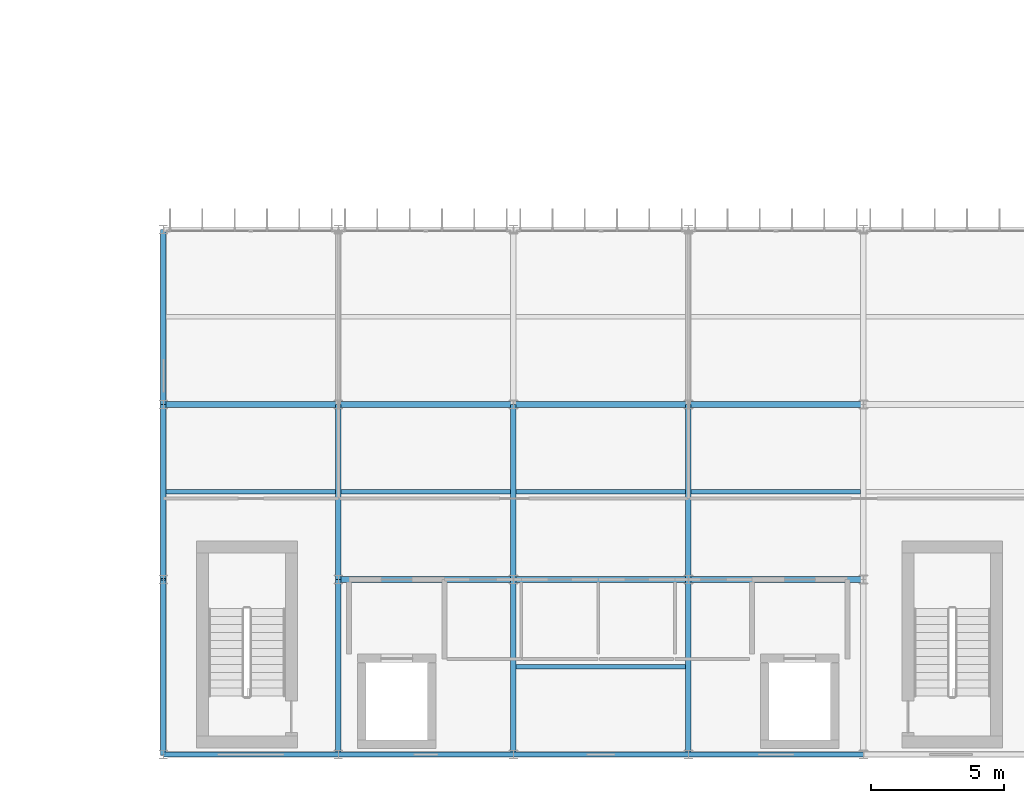
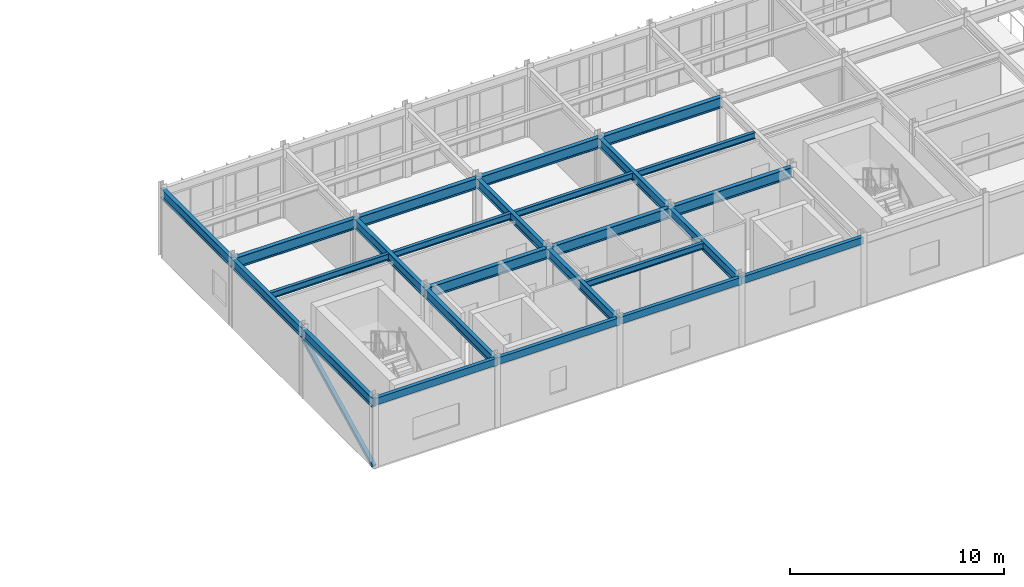
# One storey, part 50 of 130: 25 beams, 1 member.
"""IFC4 building model written with IfcOpenShell, lengths in metres."""

import ifcopenshell
import ifcopenshell.guid

model = None  # the IFC model being written
_history = None  # IfcOwnerHistory: only IFC2X3 demands one
_inside = {}  # id of a spatial element -> (the spatial element, [elements in it])
_under = {}  # id of a project, library or spatial element -> (it, [spatial elements below it])
_declared = {}  # id of a project -> (the project, [libraries it declares])
_typed = {}  # id of a type object -> (the type object, [elements of that type])
_made_of = {}  # id of a material, layer set ... -> (it, [elements and type objects made of it])


def new_model(schema):
    """Start an empty IFC model of exactly this schema.

    Asked for "IFC4X3", IfcOpenShell would pick the latest addendum, in which some entities
    have other attributes; the version numbers below select the first issue.
    IFC2X3 requires an IfcOwnerHistory on every rooted entity: one is made here for all.
    """
    global model, _history
    if schema == "IFC4X3":
        model = ifcopenshell.file(schema_version=(4, 3, 0, 0))
    else:
        model = ifcopenshell.file(schema=schema)
    _inside.clear()
    _under.clear()
    _declared.clear()
    _typed.clear()
    _made_of.clear()
    _history = None
    if model.schema == "IFC2X3":
        org = make("IfcOrganization", Name="unknown")
        user = make(
            "IfcPersonAndOrganization",
            ThePerson=make("IfcPerson", FamilyName="unknown"),
            TheOrganization=org,
        )
        app = make(
            "IfcApplication",
            ApplicationDeveloper=org,
            Version="unknown",
            ApplicationFullName="unknown",
            ApplicationIdentifier="unknown",
        )
        _history = make(
            "IfcOwnerHistory",
            OwningUser=user,
            OwningApplication=app,
            ChangeAction="ADDED",
            CreationDate=0,
        )
    return model


def make(cls, **values):
    """One entity of the class cls with the attributes given. An attribute that is None is left unset."""
    return model.create_entity(
        cls, **{name: value for name, value in values.items() if value is not None}
    )


def rooted(cls, **values):
    """An entity with a GlobalId (a new one), such as an element, a storey or a relation."""
    return make(cls, GlobalId=ifcopenshell.guid.new(), OwnerHistory=_history, **values)


def si_unit(unit_type, name, prefix=None):
    """IfcSIUnit, for example si_unit("LENGTHUNIT", "METRE", prefix="MILLI")."""
    return make("IfcSIUnit", UnitType=unit_type, Prefix=prefix, Name=name)


def assignment(units):
    """IfcUnitAssignment: the units of a project."""
    return None if units is None else make("IfcUnitAssignment", Units=units)


def point(xyz):
    """IfcCartesianPoint."""
    return None if xyz is None else make("IfcCartesianPoint", Coordinates=xyz)


def direction(xyz):
    """IfcDirection."""
    return None if xyz is None else make("IfcDirection", DirectionRatios=xyz)


def frame(location, z_axis=None, x_axis=None):
    """IfcAxis2Placement3D, a coordinate frame: its origin and axes. An axis left out is left unset."""
    return make(
        "IfcAxis2Placement3D",
        Location=point(location),
        Axis=direction(z_axis),
        RefDirection=direction(x_axis),
    )


def frame_2d(location, x_axis=None):
    """IfcAxis2Placement2D, a coordinate frame in the plane: its origin and x axis."""
    return make(
        "IfcAxis2Placement2D", Location=point(location), RefDirection=direction(x_axis)
    )


def origin():
    """The frame at (0, 0, 0) with its axes left unset."""
    return frame((0.0, 0.0, 0.0))


def origin_2d():
    """The frame at (0, 0) in the plane with its x axis left unset."""
    return frame_2d((0.0, 0.0))


def place(relative_to, where):
    """IfcLocalPlacement: puts the frame where relative to a parent placement (None: the world)."""
    return make(
        "IfcLocalPlacement", PlacementRelTo=relative_to, RelativePlacement=where
    )


def context(
    kind, dimensions, precision=None, world=None, true_north=None, identifier=None
):
    """IfcGeometricRepresentationContext, for example the 3D "Model" context."""
    return make(
        "IfcGeometricRepresentationContext",
        ContextIdentifier=identifier,
        ContextType=kind,
        CoordinateSpaceDimension=dimensions,
        Precision=precision,
        WorldCoordinateSystem=world,
        TrueNorth=true_north,
    )


def subcontext(parent, identifier, kind, view, scale=None):
    """IfcGeometricRepresentationSubContext, for example "Body" below "Model"."""
    return make(
        "IfcGeometricRepresentationSubContext",
        ContextIdentifier=identifier,
        ContextType=kind,
        ParentContext=parent,
        TargetScale=scale,
        TargetView=view,
    )


def project(units=None, contexts=None):
    """IfcProject with its units and contexts."""
    return rooted(
        "IfcProject",
        Name="project",
        RepresentationContexts=contexts,
        UnitsInContext=assignment(units),
    )


def spatial(cls, under=None, at=None, **own):
    """A site, building, storey or space (cls), placed at a placement, below another one or the project."""
    s = rooted(cls, ObjectPlacement=at, **own)
    if under is not None:
        _under.setdefault(under.id(), (under, []))[1].append(s)
    return s


def profile(cls, at=None, kind="AREA", **sizes):
    """A parametric profile (cls). Its sizes go by their IFC names, for example OverallWidth=200.0."""
    return make(cls, ProfileType=kind, Position=at, **sizes)


def hollow_rectangle(**sizes):
    """IfcRectangleHollowProfileDef."""
    return profile("IfcRectangleHollowProfileDef", **sizes)


def i_section(**sizes):
    """IfcIShapeProfileDef."""
    return profile("IfcIShapeProfileDef", **sizes)


def extrude(swept, where, along, depth):
    """IfcExtrudedAreaSolid: the profile swept, set in the frame where, extruded along a direction by depth."""
    return make(
        "IfcExtrudedAreaSolid",
        SweptArea=swept,
        Position=where,
        ExtrudedDirection=direction(along),
        Depth=depth,
    )


def shape(context_of_items, identifier, shape_type, items):
    """IfcShapeRepresentation: the items that make up one representation, for example the "Body"."""
    return make(
        "IfcShapeRepresentation",
        ContextOfItems=context_of_items,
        RepresentationIdentifier=identifier,
        RepresentationType=shape_type,
        Items=items,
    )


def material(Name=None, Category=None):
    """IfcMaterial."""
    return make("IfcMaterial", Name=Name, Category=Category)


def material_profile(
    of_material, cross_section, Name=None, Category=None, Priority=None
):
    """IfcMaterialProfile: a cross section and its material."""
    return make(
        "IfcMaterialProfile",
        Name=Name,
        Material=of_material,
        Profile=cross_section,
        Priority=Priority,
        Category=Category,
    )


def profile_set(profiles, Name=None, composite=None):
    """IfcMaterialProfileSet."""
    return make(
        "IfcMaterialProfileSet",
        Name=Name,
        MaterialProfiles=profiles,
        CompositeProfile=composite,
    )


def made_of(thing, what):
    """Note that an element or type object is made of a material, layer set ...; save() writes the relation."""
    if what is not None:
        _made_of.setdefault(what.id(), (what, []))[1].append(thing)
    return thing


def type_object(cls, material=None, **own):
    """A type object (cls), such as IfcWallType, which elements share."""
    return made_of(rooted(cls, **own), material)


def element(
    cls,
    number,
    at=None,
    inside=None,
    cuts=None,
    type_object=None,
    material=None,
    context=None,
    identifier="Body",
    shape_type=None,
    held_by="IfcProductDefinitionShape",
    body=None,
    shapes=None,
    **own,
):
    """One element of the class cls, such as IfcWall. Its Tag is "e" and its number.

    at: its placement. inside: the storey or other place that contains it. cuts: it is an
    opening in that element (IfcRelVoidsElement). A single representation is given by context,
    identifier, shape_type and body (its items); several are given by shapes. held_by: the class
    of the entity that holds the representations. save() writes the other relations.
    """
    e = rooted(cls, Tag="e%d" % number, ObjectPlacement=at, **own)
    if body is not None:
        shapes = [shape(context, identifier, shape_type, body)]
    if shapes is not None:
        e.Representation = make(held_by, Representations=shapes)
    if inside is not None:
        _inside.setdefault(inside.id(), (inside, []))[1].append(e)
    if cuts is not None:
        rooted(
            "IfcRelVoidsElement", RelatingBuildingElement=cuts, RelatedOpeningElement=e
        )
    if type_object is not None:
        _typed.setdefault(type_object.id(), (type_object, []))[1].append(e)
    return made_of(e, material)


def aggregate(whole, parts):
    """IfcRelAggregates: a whole, such as a stair, and the parts it consists of."""
    return rooted("IfcRelAggregates", RelatingObject=whole, RelatedObjects=parts)


def save(model, path):
    """Write the relations noted so far, then the file.

    IfcRelAggregates (storeys below a building ...), IfcRelContainedInSpatialStructure (elements
    in a storey), IfcRelDefinesByType, IfcRelAssociatesMaterial and IfcRelDeclares: one each for
    every whole, place, type object, material and project.
    """
    for whole, parts in _under.values():
        aggregate(whole, parts)
    for where, things in _inside.values():
        rooted(
            "IfcRelContainedInSpatialStructure",
            RelatedElements=things,
            RelatingStructure=where,
        )
    for kind, things in _typed.values():
        rooted("IfcRelDefinesByType", RelatedObjects=things, RelatingType=kind)
    for what, things in _made_of.values():
        rooted("IfcRelAssociatesMaterial", RelatedObjects=things, RelatingMaterial=what)
    for by, libraries in _declared.values():
        rooted("IfcRelDeclares", RelatingContext=by, RelatedDefinitions=libraries)
    model.write(path)


model = new_model("IFC4")

# Units and contexts
model_context = context("Model", 3, precision=1e-05, world=origin(), true_north=direction((0.0, 1.0)))
body_context = subcontext(model_context, "Body", "Model", "MODEL_VIEW")
ifc_project = project(units=[si_unit("LENGTHUNIT", "METRE"), si_unit("AREAUNIT", "SQUARE_METRE"), si_unit("VOLUMEUNIT", "CUBIC_METRE"), si_unit("PLANEANGLEUNIT", "RADIAN"), si_unit("MASSUNIT", "GRAM", prefix="KILO")], contexts=[model_context])

# Site, building, storey
site_placement = place(None, origin())
site = spatial("IfcSite", under=ifc_project, at=site_placement, CompositionType="ELEMENT")
building_placement = place(site_placement, origin())
building = spatial("IfcBuilding", under=site, at=building_placement, Name="Karori Crest Natural Sciences Institute", CompositionType="ELEMENT")
storey_placement = place(building_placement, frame((0.0, 0.0, 17.5)))
storey = spatial("IfcBuildingStorey", under=building, at=storey_placement, Name="L04", CompositionType="ELEMENT", Elevation=17.5)

# Beams
ifc_material_1 = material(Name="Structural steel AS/NZS 3679.1 Grade 350", Category="steel")
ifc_material_profile_1 = material_profile(ifc_material_1, i_section(OverallWidth=0.22900390625, OverallDepth=0.612060546875, WebThickness=0.011962890625, FlangeThickness=0.01953125, FilletRadius=0.013916015625, at=origin_2d()), Name="610UB125")
ifc_profile_set_1 = profile_set([ifc_material_profile_1], Name="Structural steel AS/NZS 3679.1 Grade 350")
beam_type_1 = type_object("IfcBeamType", Name="BT-04", PredefinedType="BEAM", material=ifc_profile_set_1)
beam_1_placement = place(storey_placement, frame((110.199951171875, 7.39990234375, 3.614013671875), z_axis=(1.0, 0.0, 0.0), x_axis=(0.0, 1.0, 0.0)))
element("IfcBeam", 1, at=beam_1_placement, inside=storey, type_object=beam_type_1, Name="Beam B-2376", PredefinedType="BEAM", context=body_context, shape_type="SweptSolid", body=[
    extrude(i_section(OverallWidth=0.22900390625, OverallDepth=0.612060546875, WebThickness=0.011962890625, FlangeThickness=0.01953125, FilletRadius=0.013916015625, at=origin_2d()), origin(), (0.0, 0.0, 1.0), 6.60009765625),
])
beam_2_placement = place(storey_placement, frame((116.800048828125, 7.39990234375, 3.614013671875), z_axis=(1.0, 0.0, 0.0), x_axis=(0.0, 1.0, 0.0)))
element("IfcBeam", 2, at=beam_2_placement, inside=storey, type_object=beam_type_1, Name="Beam B-2377", PredefinedType="BEAM", context=body_context, shape_type="SweptSolid", body=[
    extrude(i_section(OverallWidth=0.22900390625, OverallDepth=0.612060546875, WebThickness=0.011962890625, FlangeThickness=0.01953125, FilletRadius=0.013916015625, at=origin_2d()), origin(), (0.0, 0.0, 1.0), 6.599853515625),
])
beam_3_placement = place(storey_placement, frame((123.39990234375, 7.39990234375, 3.614013671875), z_axis=(1.0, 0.0, 0.0), x_axis=(0.0, 1.0, 0.0)))
element("IfcBeam", 3, at=beam_3_placement, inside=storey, type_object=beam_type_1, Name="Beam B-2378", PredefinedType="BEAM", context=body_context, shape_type="SweptSolid", body=[
    extrude(i_section(OverallWidth=0.22900390625, OverallDepth=0.612060546875, WebThickness=0.011962890625, FlangeThickness=0.01953125, FilletRadius=0.013916015625, at=origin_2d()), origin(), (0.0, 0.0, 1.0), 6.60009765625),
])
beam_4_placement = place(storey_placement, frame((103.60009765625, 14.0, 3.614013671875), z_axis=(1.0, 0.0, 0.0), x_axis=(0.0, 1.0, 0.0)))
element("IfcBeam", 4, at=beam_4_placement, inside=storey, type_object=beam_type_1, Name="Beam B-2383", PredefinedType="BEAM", context=body_context, shape_type="SweptSolid", body=[
    extrude(i_section(OverallWidth=0.22900390625, OverallDepth=0.612060546875, WebThickness=0.011962890625, FlangeThickness=0.01953125, FilletRadius=0.013916015625, at=origin_2d()), origin(), (0.0, 0.0, 1.0), 6.599853515625),
])
beam_5_placement = place(storey_placement, frame((110.199951171875, 14.0, 3.614013671875), z_axis=(1.0, 0.0, 0.0), x_axis=(0.0, 1.0, 0.0)))
element("IfcBeam", 5, at=beam_5_placement, inside=storey, type_object=beam_type_1, Name="Beam B-2384", PredefinedType="BEAM", context=body_context, shape_type="SweptSolid", body=[
    extrude(i_section(OverallWidth=0.22900390625, OverallDepth=0.612060546875, WebThickness=0.011962890625, FlangeThickness=0.01953125, FilletRadius=0.013916015625, at=origin_2d()), origin(), (0.0, 0.0, 1.0), 6.60009765625),
])
beam_6_placement = place(storey_placement, frame((116.800048828125, 14.0, 3.614013671875), z_axis=(1.0, 0.0, 0.0), x_axis=(0.0, 1.0, 0.0)))
element("IfcBeam", 6, at=beam_6_placement, inside=storey, type_object=beam_type_1, Name="Beam B-2385", PredefinedType="BEAM", context=body_context, shape_type="SweptSolid", body=[
    extrude(i_section(OverallWidth=0.22900390625, OverallDepth=0.612060546875, WebThickness=0.011962890625, FlangeThickness=0.01953125, FilletRadius=0.013916015625, at=origin_2d()), origin(), (0.0, 0.0, 1.0), 6.599853515625),
])
beam_7_placement = place(storey_placement, frame((123.39990234375, 14.0, 3.614013671875), z_axis=(1.0, 0.0, 0.0), x_axis=(0.0, 1.0, 0.0)))
element("IfcBeam", 7, at=beam_7_placement, inside=storey, type_object=beam_type_1, Name="Beam B-2386", PredefinedType="BEAM", context=body_context, shape_type="SweptSolid", body=[
    extrude(i_section(OverallWidth=0.22900390625, OverallDepth=0.612060546875, WebThickness=0.011962890625, FlangeThickness=0.01953125, FilletRadius=0.013916015625, at=origin_2d()), origin(), (0.0, 0.0, 1.0), 6.60009765625),
])
ifc_material_profile_2 = material_profile(ifc_material_1, i_section(OverallWidth=0.208984375, OverallDepth=0.532958984375, WebThickness=0.01025390625, FlangeThickness=0.015625, FilletRadius=0.013916015625, at=origin_2d()), Name="530UB92.4")
ifc_profile_set_2 = profile_set([ifc_material_profile_2], Name="Structural steel AS/NZS 3679.1 Grade 350")
beam_type_2 = type_object("IfcBeamType", Name="BT-05", PredefinedType="BEAM", material=ifc_profile_set_2)
beam_8_placement = place(storey_placement, frame((110.199951171875, 0.800048828125, 3.653564453125), z_axis=(0.0, 1.0, 0.0), x_axis=(-1.0, 0.0, 0.0)))
element("IfcBeam", 8, at=beam_8_placement, inside=storey, type_object=beam_type_2, Name="Beam B-2404", PredefinedType="BEAM", context=body_context, shape_type="SweptSolid", body=[
    extrude(i_section(OverallWidth=0.208984375, OverallDepth=0.532958984375, WebThickness=0.01025390625, FlangeThickness=0.015625, FilletRadius=0.013916015625, at=origin_2d()), origin(), (0.0, 0.0, 1.0), 6.599853515625),
])
beam_9_placement = place(storey_placement, frame((110.199951171875, 7.39990234375, 3.653564453125), z_axis=(0.0, 1.0, 0.0), x_axis=(-1.0, 0.0, 0.0)))
element("IfcBeam", 9, at=beam_9_placement, inside=storey, type_object=beam_type_2, Name="Beam B-2405", PredefinedType="BEAM", context=body_context, shape_type="SweptSolid", body=[
    extrude(i_section(OverallWidth=0.208984375, OverallDepth=0.532958984375, WebThickness=0.01025390625, FlangeThickness=0.015625, FilletRadius=0.013916015625, at=origin_2d()), origin(), (0.0, 0.0, 1.0), 6.60009765625),
])
beam_10_placement = place(storey_placement, frame((116.800048828125, 0.800048828125, 3.653564453125), z_axis=(0.0, 1.0, 0.0), x_axis=(-1.0, 0.0, 0.0)))
element("IfcBeam", 10, at=beam_10_placement, inside=storey, type_object=beam_type_2, Name="Beam B-2407", PredefinedType="BEAM", context=body_context, shape_type="SweptSolid", body=[
    extrude(i_section(OverallWidth=0.208984375, OverallDepth=0.532958984375, WebThickness=0.01025390625, FlangeThickness=0.015625, FilletRadius=0.013916015625, at=origin_2d()), origin(), (0.0, 0.0, 1.0), 6.599853515625),
])
beam_11_placement = place(storey_placement, frame((116.800048828125, 7.39990234375, 3.653564453125), z_axis=(0.0, 1.0, 0.0), x_axis=(-1.0, 0.0, 0.0)))
element("IfcBeam", 11, at=beam_11_placement, inside=storey, type_object=beam_type_2, Name="Beam B-2408", PredefinedType="BEAM", context=body_context, shape_type="SweptSolid", body=[
    extrude(i_section(OverallWidth=0.208984375, OverallDepth=0.532958984375, WebThickness=0.01025390625, FlangeThickness=0.015625, FilletRadius=0.013916015625, at=origin_2d()), origin(), (0.0, 0.0, 1.0), 6.60009765625),
])
beam_12_placement = place(storey_placement, frame((123.39990234375, 0.800048828125, 3.653564453125), z_axis=(0.0, 1.0, 0.0), x_axis=(-1.0, 0.0, 0.0)))
element("IfcBeam", 12, at=beam_12_placement, inside=storey, type_object=beam_type_2, Name="Beam B-2410", PredefinedType="BEAM", context=body_context, shape_type="SweptSolid", body=[
    extrude(i_section(OverallWidth=0.208984375, OverallDepth=0.532958984375, WebThickness=0.01025390625, FlangeThickness=0.015625, FilletRadius=0.013916015625, at=origin_2d()), origin(), (0.0, 0.0, 1.0), 6.599853515625),
])
beam_13_placement = place(storey_placement, frame((123.39990234375, 7.39990234375, 3.653564453125), z_axis=(0.0, 1.0, 0.0), x_axis=(-1.0, 0.0, 0.0)))
element("IfcBeam", 13, at=beam_13_placement, inside=storey, type_object=beam_type_2, Name="Beam B-2411", PredefinedType="BEAM", context=body_context, shape_type="SweptSolid", body=[
    extrude(i_section(OverallWidth=0.208984375, OverallDepth=0.532958984375, WebThickness=0.01025390625, FlangeThickness=0.015625, FilletRadius=0.013916015625, at=origin_2d()), origin(), (0.0, 0.0, 1.0), 6.60009765625),
])
ifc_material_profile_3 = material_profile(ifc_material_1, i_section(OverallWidth=0.208984375, OverallDepth=0.532958984375, WebThickness=0.01025390625, FlangeThickness=0.015625, FilletRadius=0.013916015625, at=origin_2d()), Name="530UB92.4")
ifc_profile_set_3 = profile_set([ifc_material_profile_3], Name="Structural steel AS/NZS 3679.1 Grade 350")
beam_type_3 = type_object("IfcBeamType", Name="BT-05-EL", PredefinedType="BEAM", material=ifc_profile_set_3)
beam_14_placement = place(storey_placement, frame((103.60009765625, 0.800048828125, 3.653564453125), z_axis=(0.0, 1.0, 0.0), x_axis=(-1.0, 0.0, 0.0)))
element("IfcBeam", 14, at=beam_14_placement, inside=storey, type_object=beam_type_3, Name="Beam B-2401", PredefinedType="BEAM", context=body_context, shape_type="SweptSolid", body=[
    extrude(i_section(OverallWidth=0.208984375, OverallDepth=0.532958984375, WebThickness=0.01025390625, FlangeThickness=0.015625, FilletRadius=0.013916015625, at=origin_2d()), origin(), (0.0, 0.0, 1.0), 6.599853515625),
])
for number, where, z_axis, x_axis, name in (
    (15, (103.60009765625, 7.39990234375, 3.653564453125), (0.0, 1.0, 0.0), (-1.0, 0.0, 0.0), "Beam B-2402"),
    (16, (103.60009765625, 14.0, 3.653564453125), (0.0, 1.0, 0.0), (-1.0, 0.0, 0.0), "Beam B-2403"),
):
    element("IfcBeam", number, at=place(storey_placement, frame(where, z_axis=z_axis, x_axis=x_axis)), inside=storey, type_object=beam_type_3, Name=name, PredefinedType="BEAM", context=body_context, shape_type="SweptSolid", body=[
        extrude(i_section(OverallWidth=0.208984375, OverallDepth=0.532958984375, WebThickness=0.01025390625, FlangeThickness=0.015625, FilletRadius=0.013916015625, at=origin_2d()), origin(), (0.0, 0.0, 1.0), 6.60009765625),
    ])
ifc_material_profile_4 = material_profile(ifc_material_1, i_section(OverallWidth=0.172119140625, OverallDepth=0.35888671875, WebThickness=0.008056640625, FlangeThickness=0.012939453125, FilletRadius=0.010986328125, at=origin_2d()), Name="360UB56.7")
ifc_profile_set_4 = profile_set([ifc_material_profile_4], Name="Structural steel AS/NZS 3679.1 Grade 350")
beam_type_4 = type_object("IfcBeamType", Name="BT-08", PredefinedType="BEAM", material=ifc_profile_set_4)
beam_15_placement = place(storey_placement, frame((103.70458984375, 10.699951171875, 3.740478515625), z_axis=(1.0, 0.0, 0.0), x_axis=(0.0, 1.0, 0.0)))
element("IfcBeam", 17, at=beam_15_placement, inside=storey, type_object=beam_type_4, Name="Beam B-2431", PredefinedType="BEAM", context=body_context, shape_type="SweptSolid", body=[
    extrude(i_section(OverallWidth=0.172119140625, OverallDepth=0.35888671875, WebThickness=0.008056640625, FlangeThickness=0.012939453125, FilletRadius=0.010986328125, at=origin_2d()), origin(), (0.0, 0.0, 1.0), 6.390869140625),
])
beam_16_placement = place(storey_placement, frame((110.304443359375, 10.699951171875, 3.740478515625), z_axis=(1.0, 0.0, 0.0), x_axis=(0.0, 1.0, 0.0)))
element("IfcBeam", 18, at=beam_16_placement, inside=storey, type_object=beam_type_4, Name="Beam B-2433", PredefinedType="BEAM", context=body_context, shape_type="SweptSolid", body=[
    extrude(i_section(OverallWidth=0.172119140625, OverallDepth=0.35888671875, WebThickness=0.008056640625, FlangeThickness=0.012939453125, FilletRadius=0.010986328125, at=origin_2d()), origin(), (0.0, 0.0, 1.0), 6.39111328125),
])
for number, where, z_axis, x_axis, name in (
    (19, (116.904541015625, 4.10009765625, 3.740478515625), (1.0, 0.0, 0.0), (0.0, 1.0, 0.0), "Beam B-2435"),
    (20, (116.904541015625, 10.699951171875, 3.740478515625), (1.0, 0.0, 0.0), (0.0, 1.0, 0.0), "Beam B-2436"),
):
    element("IfcBeam", number, at=place(storey_placement, frame(where, z_axis=z_axis, x_axis=x_axis)), inside=storey, type_object=beam_type_4, Name=name, PredefinedType="BEAM", context=body_context, shape_type="SweptSolid", body=[
        extrude(i_section(OverallWidth=0.172119140625, OverallDepth=0.35888671875, WebThickness=0.008056640625, FlangeThickness=0.012939453125, FilletRadius=0.010986328125, at=origin_2d()), origin(), (0.0, 0.0, 1.0), 6.390869140625),
    ])
beam_17_placement = place(storey_placement, frame((123.50439453125, 10.699951171875, 3.740478515625), z_axis=(1.0, 0.0, 0.0), x_axis=(0.0, 1.0, 0.0)))
element("IfcBeam", 21, at=beam_17_placement, inside=storey, type_object=beam_type_4, Name="Beam B-2438", PredefinedType="BEAM", context=body_context, shape_type="SweptSolid", body=[
    extrude(i_section(OverallWidth=0.172119140625, OverallDepth=0.35888671875, WebThickness=0.008056640625, FlangeThickness=0.012939453125, FilletRadius=0.010986328125, at=origin_2d()), origin(), (0.0, 0.0, 1.0), 6.39111328125),
])
ifc_material_2 = material(Name="Hollow structural steel AS/NZS 1163 Grade C350", Category="steel")
ifc_material_profile_5 = material_profile(ifc_material_2, hollow_rectangle(XDim=0.199951171875, YDim=0.39990234375, WallThickness=0.012451171875, at=origin_2d()), Name="RHS400x200x12.5")
ifc_profile_set_5 = profile_set([ifc_material_profile_5], Name="Hollow structural steel AS/NZS 1163 Grade C350")
beam_type_5 = type_object("IfcBeamType", Name="BT-14", PredefinedType="SPANDREL", material=ifc_profile_set_5)
beam_18_placement = place(storey_placement, frame((103.60009765625, 0.800048828125, 3.719970703125), z_axis=(1.0, 0.0, 0.0), x_axis=(0.0, 1.0, 0.0)))
element("IfcBeam", 22, at=beam_18_placement, inside=storey, type_object=beam_type_5, Name="Beam B-2367", PredefinedType="SPANDREL", context=body_context, shape_type="SweptSolid", body=[
    extrude(hollow_rectangle(XDim=0.199951171875, YDim=0.39990234375, WallThickness=0.012451171875, at=origin_2d()), origin(), (0.0, 0.0, 1.0), 6.599853515625),
])
beam_19_placement = place(storey_placement, frame((110.199951171875, 0.800048828125, 3.719970703125), z_axis=(1.0, 0.0, 0.0), x_axis=(0.0, 1.0, 0.0)))
element("IfcBeam", 23, at=beam_19_placement, inside=storey, type_object=beam_type_5, Name="Beam B-2368", PredefinedType="SPANDREL", context=body_context, shape_type="SweptSolid", body=[
    extrude(hollow_rectangle(XDim=0.199951171875, YDim=0.39990234375, WallThickness=0.012451171875, at=origin_2d()), origin(), (0.0, 0.0, 1.0), 6.60009765625),
])
beam_20_placement = place(storey_placement, frame((116.800048828125, 0.800048828125, 3.719970703125), z_axis=(1.0, 0.0, 0.0), x_axis=(0.0, 1.0, 0.0)))
element("IfcBeam", 24, at=beam_20_placement, inside=storey, type_object=beam_type_5, Name="Beam B-2369", PredefinedType="SPANDREL", context=body_context, shape_type="SweptSolid", body=[
    extrude(hollow_rectangle(XDim=0.199951171875, YDim=0.39990234375, WallThickness=0.012451171875, at=origin_2d()), origin(), (0.0, 0.0, 1.0), 6.599853515625),
])
beam_21_placement = place(storey_placement, frame((123.39990234375, 0.800048828125, 3.719970703125), z_axis=(1.0, 0.0, 0.0), x_axis=(0.0, 1.0, 0.0)))
element("IfcBeam", 25, at=beam_21_placement, inside=storey, type_object=beam_type_5, Name="Beam B-2370", PredefinedType="SPANDREL", context=body_context, shape_type="SweptSolid", body=[
    extrude(hollow_rectangle(XDim=0.199951171875, YDim=0.39990234375, WallThickness=0.012451171875, at=origin_2d()), origin(), (0.0, 0.0, 1.0), 6.60009765625),
])

# Member
ifc_material_profile_6 = material_profile(ifc_material_2, hollow_rectangle(XDim=0.199951171875, YDim=0.199951171875, WallThickness=0.010009765625, at=origin_2d()), Name="SHS200x200x10")
ifc_profile_set_6 = profile_set([ifc_material_profile_6], Name="Hollow structural steel AS/NZS 1163 Grade C350")
member_type = type_object("IfcMemberType", Name="MT-04", PredefinedType="BRACE", material=ifc_profile_set_6)
member_placement = place(storey_placement, frame((103.60009765625, 0.800048828125, 0.010009765625), z_axis=(0.0, 0.893983612757, 0.448099654232), x_axis=(-1.0, 0.0, 0.0)))
element("IfcMember", 26, at=member_placement, inside=storey, type_object=member_type, Name="Diagonal Brace M-0447", PredefinedType="BRACE", context=body_context, shape_type="SweptSolid", body=[
    extrude(hollow_rectangle(XDim=0.199951171875, YDim=0.199951171875, WallThickness=0.010009765625, at=origin_2d()), origin(), (0.0, 0.0, 1.0), 7.382568359375),
])

save(model, "model.ifc")
